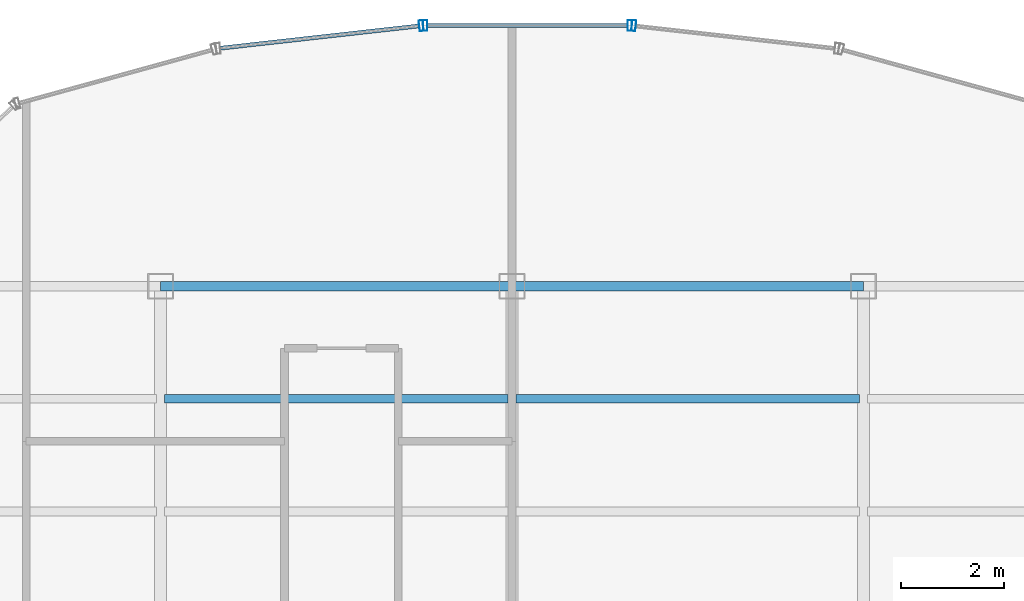
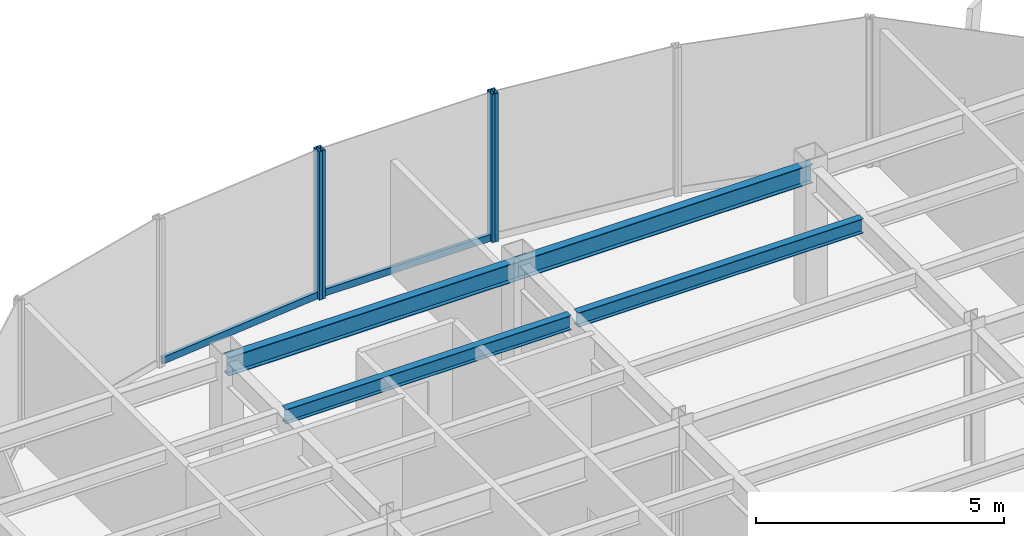
# One storey, part 13 of 22: 6 members, 4 beams, 3 elements without a shape of their own.
"""IFC4 building model written with IfcOpenShell, lengths in metres."""

from ifc_helpers import new_model, si_unit, derived_unit, direction, frame, origin, origin_2d, place, context, subcontext, project, spatial, hollow_rectangle, i_section, extrude, source, transform, mapped, material, material_profile, profile_set, type_object, element, aggregate, save


model = new_model("IFC4")

# Units and contexts
model_context = context("Model", 3, precision=1e-05, world=origin(), true_north=direction((0.0, 1.0)))
body_context = subcontext(model_context, "Body", "Model", "MODEL_VIEW")
ifc_project = project(units=[si_unit("LENGTHUNIT", "METRE"), si_unit("AREAUNIT", "SQUARE_METRE"), si_unit("VOLUMEUNIT", "CUBIC_METRE"), si_unit("PLANEANGLEUNIT", "RADIAN"), si_unit("MASSUNIT", "GRAM", prefix="KILO"), derived_unit("THERMALTRANSMITTANCEUNIT", [(si_unit("POWERUNIT", "WATT"), 1), (si_unit("LENGTHUNIT", "METRE"), -2), (si_unit("THERMODYNAMICTEMPERATUREUNIT", "KELVIN"), -1)])], contexts=[model_context])

# Site, building, storey
site_placement = place(None, origin())
site = spatial("IfcSite", under=ifc_project, at=site_placement, CompositionType="ELEMENT")
building_placement = place(site_placement, origin())
building = spatial("IfcBuilding", under=site, at=building_placement, Name="Skarnbrae Concourse Arena and Tower", CompositionType="ELEMENT")
storey_placement = place(building_placement, frame((0.0, 0.0, 206.85009765625)))
storey = spatial("IfcBuildingStorey", under=building, at=storey_placement, Name="L53", CompositionType="ELEMENT", Elevation=206.85009765625)

# Beams
ifc_material_1 = material(Name="Steel CSA G40.21 350W", Category="steel")
ifc_material_profile_1 = material_profile(ifc_material_1, i_section(OverallWidth=0.19091796875, OverallDepth=0.4599609375, WebThickness=0.010009765625, FlangeThickness=0.01611328125, at=origin_2d()), Name="W460X82")
ifc_profile_set_1 = profile_set([ifc_material_profile_1], Name="Steel CSA G40.21 350W")
beam_type_1 = type_object("IfcBeamType", Name="BM-SPAN-W460X82", PredefinedType="SPANDREL", material=ifc_profile_set_1)
shared_shape_1 = source(origin(), body_context, "Body", "SweptSolid", [
    extrude(i_section(OverallWidth=0.19091796875, OverallDepth=0.4599609375, WebThickness=0.010009765625, FlangeThickness=0.01611328125, at=origin_2d()), origin(), (0.0, 0.0, 1.0), 6.800048828125),
])
for number, where, z_axis, x_axis, name in (
    (1, (14.39990234375, 34.39990234375, 3.169921875), (1.0, 0.0, 0.0), (0.0, 1.0, 0.0), "L53 Perimeter spandrel Y34.4-2"),
    (2, (21.199951171875, 34.39990234375, 3.169921875), (1.0, 0.0, 0.0), (0.0, 1.0, 0.0), "L53 Perimeter spandrel Y34.4-3"),
):
    element("IfcBeam", number, at=place(storey_placement, frame(where, z_axis=z_axis, x_axis=x_axis)), inside=storey, type_object=beam_type_1, Name=name, PredefinedType="SPANDREL", context=body_context, shape_type="MappedRepresentation", body=[
        mapped(shared_shape_1, transform((0.0, 0.0, 0.0))),
    ])
ifc_material_profile_2 = material_profile(ifc_material_1, i_section(OverallWidth=0.1708984375, OverallDepth=0.35498046875, WebThickness=0.007080078125, FlangeThickness=0.01171875, at=origin_2d()), Name="W360X51")
ifc_profile_set_2 = profile_set([ifc_material_profile_2], Name="Steel CSA G40.21 350W")
beam_type_2 = type_object("IfcBeamType", Name="BM-JOIST-W360X51", PredefinedType="JOIST", material=ifc_profile_set_2)
shared_shape_2 = source(origin(), body_context, "Body", "SweptSolid", [
    extrude(i_section(OverallWidth=0.1708984375, OverallDepth=0.35498046875, WebThickness=0.007080078125, FlangeThickness=0.01171875, at=origin_2d()), origin(), (0.0, 0.0, 1.0), 6.64013671875),
])
beam_1_placement = place(storey_placement, frame((14.47998046875, 32.221923828125, 3.222412109375), z_axis=(1.0, 0.0, 0.0), x_axis=(0.0, 1.0, 0.0)))
element("IfcBeam", 3, at=beam_1_placement, inside=storey, type_object=beam_type_2, Name="L53 Secondary floor joist 3.2.2", PredefinedType="JOIST", context=body_context, shape_type="MappedRepresentation", body=[
    mapped(shared_shape_2, transform((0.0, 0.0, 0.0))),
])
shared_shape_3 = source(origin(), body_context, "Body", "SweptSolid", [
    extrude(i_section(OverallWidth=0.1708984375, OverallDepth=0.35498046875, WebThickness=0.007080078125, FlangeThickness=0.01171875, at=origin_2d()), origin(), (0.0, 0.0, 1.0), 6.639892578125),
])
beam_2_placement = place(storey_placement, frame((21.280029296875, 32.221923828125, 3.222412109375), z_axis=(1.0, 0.0, 0.0), x_axis=(0.0, 1.0, 0.0)))
element("IfcBeam", 4, at=beam_2_placement, inside=storey, type_object=beam_type_2, Name="L53 Secondary floor joist 3.2.3", PredefinedType="JOIST", context=body_context, shape_type="MappedRepresentation", body=[
    mapped(shared_shape_3, transform((0.0, 0.0, 0.0))),
])

# Curtain wall, member
ifc_material_2 = material(Name="Bronze anodised aluminium 6063-T6", Category="aluminium")
curtain_wall_type = type_object("IfcCurtainWallType", Name="CW-SYS-03-PORTAL", PredefinedType="USERDEFINED", material=ifc_material_2)
curtain_wall_1_placement = place(storey_placement, origin())
curtain_wall_1 = element("IfcCurtainWall", 5, at=curtain_wall_1_placement, inside=storey, type_object=curtain_wall_type, Name="L53 Unitised curtain wall CW-L53-E10", ObjectType="UNITISED CURTAIN WALL", PredefinedType="USERDEFINED")
ifc_material_profile_3 = material_profile(ifc_material_2, hollow_rectangle(XDim=0.080078125, YDim=0.2099609375, WallThickness=0.00439453125, at=origin_2d()), Name="ALU-MULL-80X210")
ifc_profile_set_3 = profile_set([ifc_material_profile_3], Name="Bronze anodised aluminium 6063-T6")
member_type_1 = type_object("IfcMemberType", Name="CWM-CW-03", PredefinedType="MULLION", material=ifc_profile_set_3)
shared_shape_4 = source(origin(), body_context, "Body", "SweptSolid", [
    extrude(hollow_rectangle(XDim=0.080078125, YDim=0.2099609375, WallThickness=0.00439453125, at=origin_2d()), origin(), (0.0, 0.0, 1.0), 3.64990234375),
])
member_1_placement = place(storey_placement, frame((23.556884765625, 39.442138671875, 0.0), z_axis=(0.0, 0.0, 1.0), x_axis=(-0.993768891873, 0.111460259941, 0.0)))
member_1 = element("IfcMember", 6, at=member_1_placement, type_object=member_type_1, Name="CW-L53-E10 Mullion 2", PredefinedType="MULLION", context=body_context, shape_type="MappedRepresentation", body=[
    mapped(shared_shape_4, transform((0.0, 0.0, 0.0))),
])
aggregate(curtain_wall_1, [member_1])

# Curtain wall, members
curtain_wall_2_placement = place(storey_placement, origin())
curtain_wall_2 = element("IfcCurtainWall", 7, at=curtain_wall_2_placement, inside=storey, type_object=curtain_wall_type, Name="L53 Unitised curtain wall CW-L53-E11", ObjectType="UNITISED CURTAIN WALL", PredefinedType="USERDEFINED")
member_2_placement = place(storey_placement, frame((23.477294921875, 39.44677734375, 0.0), z_axis=(0.0, 0.0, 1.0), x_axis=(-1.0, 0.0, 0.0)))
member_2 = element("IfcMember", 8, at=member_2_placement, type_object=member_type_1, Name="CW-L53-E11 Mullion 1", PredefinedType="MULLION", context=body_context, shape_type="MappedRepresentation", body=[
    mapped(shared_shape_4, transform((0.0, 0.0, 0.0))),
])
member_3_placement = place(storey_placement, frame((19.522705078125, 39.44677734375, 0.0), z_axis=(0.0, 0.0, 1.0), x_axis=(-1.0, 0.0, 0.0)))
member_3 = element("IfcMember", 9, at=member_3_placement, type_object=member_type_1, Name="CW-L53-E11 Mullion 2", PredefinedType="MULLION", context=body_context, shape_type="MappedRepresentation", body=[
    mapped(shared_shape_4, transform((0.0, 0.0, 0.0))),
])

curtain_wall_3_placement = place(storey_placement, origin())
curtain_wall_3 = element("IfcCurtainWall", 10, at=curtain_wall_3_placement, inside=storey, type_object=curtain_wall_type, Name="L53 Unitised curtain wall CW-L53-E12", ObjectType="UNITISED CURTAIN WALL", PredefinedType="USERDEFINED")
member_4_placement = place(storey_placement, frame((19.443115234375, 39.442138671875, 0.0), z_axis=(0.0, 0.0, 1.0), x_axis=(-0.993768891873, -0.111460259941, 0.0)))
member_4 = element("IfcMember", 11, at=member_4_placement, type_object=member_type_1, Name="CW-L53-E12 Mullion 1", PredefinedType="MULLION", context=body_context, shape_type="MappedRepresentation", body=[
    mapped(shared_shape_4, transform((0.0, 0.0, 0.0))),
])
ifc_material_profile_4 = material_profile(ifc_material_2, hollow_rectangle(XDim=0.080078125, YDim=0.169921875, WallThickness=0.00439453125, at=origin_2d()), Name="ALU-TRAN-80X170")
ifc_profile_set_4 = profile_set([ifc_material_profile_4], Name="Bronze anodised aluminium 6063-T6")
member_type_2 = type_object("IfcMemberType", Name="CWT-CW-03", PredefinedType="USERDEFINED", material=ifc_profile_set_4)
shared_shape_5 = source(origin(), body_context, "Body", "SweptSolid", [
    extrude(hollow_rectangle(XDim=0.080078125, YDim=0.169921875, WallThickness=0.00439453125, at=origin_2d()), origin(), (0.0, 0.0, 1.0), 3.873779296875),
])
member_5_placement = place(storey_placement, frame((19.4033203125, 39.437744140625, 0.0849609375), z_axis=(-0.993772558096, -0.111427567397, 0.0), x_axis=(0.111427567397, -0.993772558096, 0.0)))
member_5 = element("IfcMember", 12, at=member_5_placement, type_object=member_type_2, Name="CW-L53-E12 Transom 1", ObjectType="TRANSOM", PredefinedType="USERDEFINED", context=body_context, shape_type="MappedRepresentation", body=[
    mapped(shared_shape_5, transform((0.0, 0.0, 0.0))),
])
aggregate(curtain_wall_3, [member_4, member_5])

# Member
shared_shape_6 = source(origin(), body_context, "Body", "SweptSolid", [
    extrude(hollow_rectangle(XDim=0.080078125, YDim=0.169921875, WallThickness=0.00439453125, at=origin_2d()), origin(), (0.0, 0.0, 1.0), 3.87451171875),
])
member_6_placement = place(storey_placement, frame((23.437255859375, 39.44677734375, 0.0849609375), z_axis=(-1.0, 0.0, 0.0), x_axis=(0.0, -1.0, 0.0)))
member_6 = element("IfcMember", 13, at=member_6_placement, type_object=member_type_2, Name="CW-L53-E11 Transom 1", ObjectType="TRANSOM", PredefinedType="USERDEFINED", context=body_context, shape_type="MappedRepresentation", body=[
    mapped(shared_shape_6, transform((0.0, 0.0, 0.0))),
])

aggregate(curtain_wall_2, [member_2, member_3, member_6])

save(model, "model.ifc")
